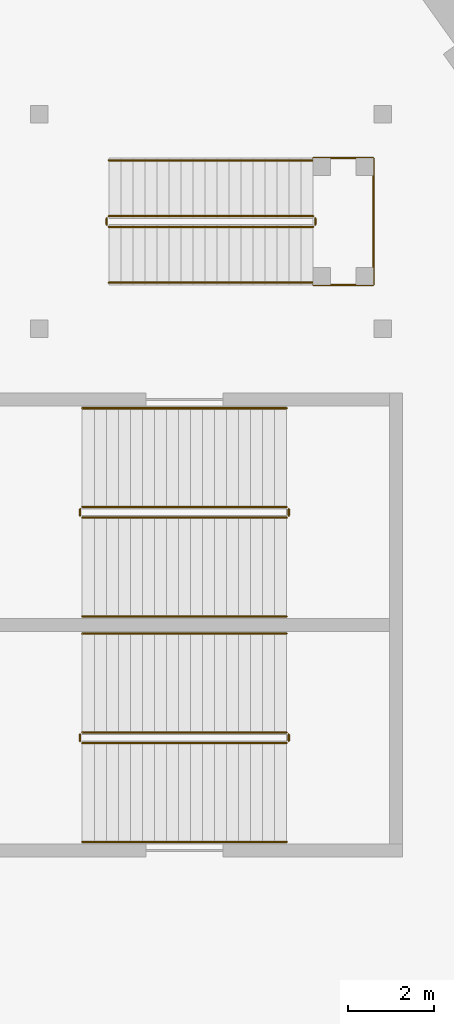
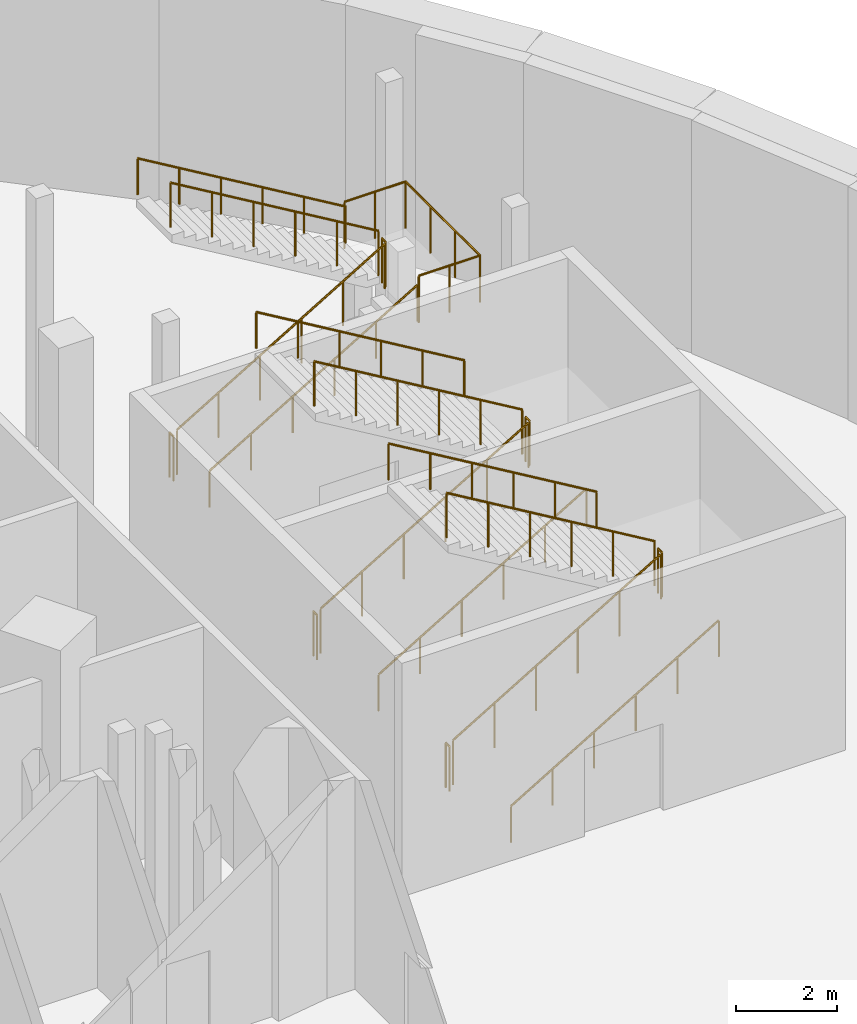
# One storey, part 17 of 19: 19 railings.
"""IFC4 building model written with IfcOpenShell, lengths in metres."""

from ifc_helpers import new_model, si_unit, direction, frame, origin, origin_2d, place, context, subcontext, project, spatial, circle, extrude, material, type_object, element, save


model = new_model("IFC4")

# Units and contexts
model_context = context("Model", 3, precision=1e-05, world=origin(), true_north=direction((0.0, 1.0)))
body_context = subcontext(model_context, "Body", "Model", "MODEL_VIEW")
ifc_project = project(units=[si_unit("LENGTHUNIT", "METRE"), si_unit("AREAUNIT", "SQUARE_METRE"), si_unit("VOLUMEUNIT", "CUBIC_METRE"), si_unit("PLANEANGLEUNIT", "RADIAN"), si_unit("MASSUNIT", "GRAM", prefix="KILO")], contexts=[model_context])

# Site, building, storey
site_placement = place(None, origin())
site = spatial("IfcSite", under=ifc_project, at=site_placement, CompositionType="ELEMENT")
building_placement = place(site_placement, origin())
building = spatial("IfcBuilding", under=site, at=building_placement, Name="Rubra Terraces Tower", CompositionType="ELEMENT")
storey_placement = place(building_placement, frame((0.0, 0.0, -6.0)))
storey = spatial("IfcBuildingStorey", under=building, at=storey_placement, Name="B1", CompositionType="ELEMENT", Elevation=-6.0)

# Railings
ifc_material_1 = material(Name="Stainless steel", Category="steel")
railing_type_1 = type_object("IfcRailingType", Name="Public stair guard 1100", PredefinedType="GUARDRAIL", material=ifc_material_1)
railing_1_placement = place(storey_placement, frame((33.0, 7.85009765625, 0.166748046875)))
element("IfcRailing", 1, at=railing_1_placement, inside=storey, type_object=railing_type_1, Name="B1 SE1 stair guard 1", PredefinedType="GUARDRAIL", context=body_context, shape_type="SweptSolid", body=[
    extrude(circle(Radius=0.02392578125, at=origin_2d()), frame((0.0, 0.0, 1.076171875), z_axis=(0.859299802514, 0.0, 0.511472237174), x_axis=(0.0, 1.0, 0.0)), (0.0, 0.0, 1.0), 5.539306640625),
    extrude(circle(Radius=0.02099609375, at=origin_2d()), origin(), (0.0, 0.0, 1.0), 1.052001953125),
    extrude(circle(Radius=0.02099609375, at=origin_2d()), frame((0.951904296875, 0.0, 0.566650390625)), (0.0, 0.0, 1.0), 1.052001953125),
    extrude(circle(Radius=0.02099609375, at=origin_2d()), frame((1.904052734375, 0.0, 1.13330078125)), (0.0, 0.0, 1.0), 1.052001953125),
    extrude(circle(Radius=0.02099609375, at=origin_2d()), frame((2.85595703125, 0.0, 1.699951171875)), (0.0, 0.0, 1.0), 1.052001953125),
    extrude(circle(Radius=0.02099609375, at=origin_2d()), frame((3.80810546875, 0.0, 2.2666015625)), (0.0, 0.0, 1.0), 1.052001953125),
    extrude(circle(Radius=0.02099609375, at=origin_2d()), frame((4.760009765625, 0.0, 2.833251953125)), (0.0, 0.0, 1.0), 1.052001953125),
])
railing_2_placement = place(storey_placement, frame((37.81005859375, 7.89990234375, 3.0)))
element("IfcRailing", 2, at=railing_2_placement, inside=storey, type_object=railing_type_1, Name="B1 SE1 stair guard 2", PredefinedType="GUARDRAIL", context=body_context, shape_type="SweptSolid", body=[
    extrude(circle(Radius=0.02392578125, at=origin_2d()), frame((0.0, 0.0, 1.076171875), z_axis=(0.0, 1.0, 0.0), x_axis=(-1.0, 0.0, 0.0)), (0.0, 0.0, 1.0), 0.150146484375),
    extrude(circle(Radius=0.02099609375, at=origin_2d()), origin(), (0.0, 0.0, 1.0), 1.052001953125),
    extrude(circle(Radius=0.02099609375, at=origin_2d()), frame((0.0, 0.150146484375, 0.0)), (0.0, 0.0, 1.0), 1.052001953125),
])
railing_3_placement = place(storey_placement, frame((37.760009765625, 8.10009765625, 3.166748046875)))
element("IfcRailing", 3, at=railing_3_placement, inside=storey, type_object=railing_type_1, Name="B1 SE1 stair guard 3", PredefinedType="GUARDRAIL", context=body_context, shape_type="SweptSolid", body=[
    extrude(circle(Radius=0.02392578125, at=origin_2d()), frame((0.0, 0.0, 1.076171875), z_axis=(-0.859299802514, 0.0, 0.511472237174), x_axis=(0.0, -1.0, 0.0)), (0.0, 0.0, 1.0), 5.539306640625),
    extrude(circle(Radius=0.02099609375, at=origin_2d()), origin(), (0.0, 0.0, 1.0), 1.052001953125),
    extrude(circle(Radius=0.02099609375, at=origin_2d()), frame((-0.951904296875, 0.0, 0.566650390625)), (0.0, 0.0, 1.0), 1.052001953125),
    extrude(circle(Radius=0.02099609375, at=origin_2d()), frame((-1.904052734375, 0.0, 1.13330078125)), (0.0, 0.0, 1.0), 1.052001953125),
    extrude(circle(Radius=0.02099609375, at=origin_2d()), frame((-2.85595703125, 0.0, 1.699951171875)), (0.0, 0.0, 1.0), 1.052001953125),
    extrude(circle(Radius=0.02099609375, at=origin_2d()), frame((-3.80810546875, 0.0, 2.2666015625)), (0.0, 0.0, 1.0), 1.052001953125),
    extrude(circle(Radius=0.02099609375, at=origin_2d()), frame((-4.760009765625, 0.0, 2.833251953125)), (0.0, 0.0, 1.0), 1.052001953125),
])
railing_4_placement = place(storey_placement, frame((32.949951171875, 7.89990234375, 0.0)))
element("IfcRailing", 4, at=railing_4_placement, inside=storey, type_object=railing_type_1, Name="B1 SE1 stair guard 4", PredefinedType="GUARDRAIL", context=body_context, shape_type="SweptSolid", body=[
    extrude(circle(Radius=0.02392578125, at=origin_2d()), frame((0.0, 0.0, 1.076171875), z_axis=(0.0, 1.0, 0.0), x_axis=(-1.0, 0.0, 0.0)), (0.0, 0.0, 1.0), 0.150146484375),
    extrude(circle(Radius=0.02099609375, at=origin_2d()), origin(), (0.0, 0.0, 1.0), 1.052001953125),
    extrude(circle(Radius=0.02099609375, at=origin_2d()), frame((0.0, 0.150146484375, 0.0)), (0.0, 0.0, 1.0), 1.052001953125),
])
railing_5_placement = place(storey_placement, frame((33.0, 13.10009765625, 0.166748046875)))
element("IfcRailing", 5, at=railing_5_placement, inside=storey, type_object=railing_type_1, Name="B1 SE9 stair guard 1", PredefinedType="GUARDRAIL", context=body_context, shape_type="SweptSolid", body=[
    extrude(circle(Radius=0.02392578125, at=origin_2d()), frame((0.0, 0.0, 1.076171875), z_axis=(0.859299802514, 0.0, 0.511472237174), x_axis=(0.0, 1.0, 0.0)), (0.0, 0.0, 1.0), 5.539306640625),
    extrude(circle(Radius=0.02099609375, at=origin_2d()), origin(), (0.0, 0.0, 1.0), 1.052001953125),
    extrude(circle(Radius=0.02099609375, at=origin_2d()), frame((0.951904296875, 0.0, 0.566650390625)), (0.0, 0.0, 1.0), 1.052001953125),
    extrude(circle(Radius=0.02099609375, at=origin_2d()), frame((1.904052734375, 0.0, 1.13330078125)), (0.0, 0.0, 1.0), 1.052001953125),
    extrude(circle(Radius=0.02099609375, at=origin_2d()), frame((2.85595703125, 0.0, 1.699951171875)), (0.0, 0.0, 1.0), 1.052001953125),
    extrude(circle(Radius=0.02099609375, at=origin_2d()), frame((3.80810546875, 0.0, 2.2666015625)), (0.0, 0.0, 1.0), 1.052001953125),
    extrude(circle(Radius=0.02099609375, at=origin_2d()), frame((4.760009765625, 0.0, 2.833251953125)), (0.0, 0.0, 1.0), 1.052001953125),
])
railing_6_placement = place(storey_placement, frame((37.81005859375, 13.14990234375, 3.0)))
element("IfcRailing", 6, at=railing_6_placement, inside=storey, type_object=railing_type_1, Name="B1 SE9 stair guard 2", PredefinedType="GUARDRAIL", context=body_context, shape_type="SweptSolid", body=[
    extrude(circle(Radius=0.02392578125, at=origin_2d()), frame((0.0, 0.0, 1.076171875), z_axis=(0.0, 1.0, 0.0), x_axis=(-1.0, 0.0, 0.0)), (0.0, 0.0, 1.0), 0.150146484375),
    extrude(circle(Radius=0.02099609375, at=origin_2d()), origin(), (0.0, 0.0, 1.0), 1.052001953125),
    extrude(circle(Radius=0.02099609375, at=origin_2d()), frame((0.0, 0.150146484375, 0.0)), (0.0, 0.0, 1.0), 1.052001953125),
])
railing_7_placement = place(storey_placement, frame((37.760009765625, 13.35009765625, 3.166748046875)))
element("IfcRailing", 7, at=railing_7_placement, inside=storey, type_object=railing_type_1, Name="B1 SE9 stair guard 3", PredefinedType="GUARDRAIL", context=body_context, shape_type="SweptSolid", body=[
    extrude(circle(Radius=0.02392578125, at=origin_2d()), frame((0.0, 0.0, 1.076171875), z_axis=(-0.859299802514, 0.0, 0.511472237174), x_axis=(0.0, -1.0, 0.0)), (0.0, 0.0, 1.0), 5.539306640625),
    extrude(circle(Radius=0.02099609375, at=origin_2d()), origin(), (0.0, 0.0, 1.0), 1.052001953125),
    extrude(circle(Radius=0.02099609375, at=origin_2d()), frame((-0.951904296875, 0.0, 0.566650390625)), (0.0, 0.0, 1.0), 1.052001953125),
    extrude(circle(Radius=0.02099609375, at=origin_2d()), frame((-1.904052734375, 0.0, 1.13330078125)), (0.0, 0.0, 1.0), 1.052001953125),
    extrude(circle(Radius=0.02099609375, at=origin_2d()), frame((-2.85595703125, 0.0, 1.699951171875)), (0.0, 0.0, 1.0), 1.052001953125),
    extrude(circle(Radius=0.02099609375, at=origin_2d()), frame((-3.80810546875, 0.0, 2.2666015625)), (0.0, 0.0, 1.0), 1.052001953125),
    extrude(circle(Radius=0.02099609375, at=origin_2d()), frame((-4.760009765625, 0.0, 2.833251953125)), (0.0, 0.0, 1.0), 1.052001953125),
])
railing_8_placement = place(storey_placement, frame((32.949951171875, 13.14990234375, 0.0)))
element("IfcRailing", 8, at=railing_8_placement, inside=storey, type_object=railing_type_1, Name="B1 SE9 stair guard 4", PredefinedType="GUARDRAIL", context=body_context, shape_type="SweptSolid", body=[
    extrude(circle(Radius=0.02392578125, at=origin_2d()), frame((0.0, 0.0, 1.076171875), z_axis=(0.0, 1.0, 0.0), x_axis=(-1.0, 0.0, 0.0)), (0.0, 0.0, 1.0), 0.150146484375),
    extrude(circle(Radius=0.02099609375, at=origin_2d()), origin(), (0.0, 0.0, 1.0), 1.052001953125),
    extrude(circle(Radius=0.02099609375, at=origin_2d()), frame((0.0, 0.150146484375, 0.0)), (0.0, 0.0, 1.0), 1.052001953125),
])
railing_type_2 = type_object("IfcRailingType", Name="Public stair handrail 900", PredefinedType="HANDRAIL", material=ifc_material_1)
railing_9_placement = place(storey_placement, frame((33.0, 5.550048828125, 0.166748046875)))
element("IfcRailing", 9, at=railing_9_placement, inside=storey, type_object=railing_type_2, Name="B1 SE1 stair handrail 1", PredefinedType="HANDRAIL", context=body_context, shape_type="SweptSolid", body=[
    extrude(circle(Radius=0.02392578125, at=origin_2d()), frame((0.0, 0.0, 0.8759765625), z_axis=(0.859299802514, 0.0, 0.511472237174), x_axis=(0.0, 1.0, 0.0)), (0.0, 0.0, 1.0), 5.539306640625),
    extrude(circle(Radius=0.02099609375, at=origin_2d()), origin(), (0.0, 0.0, 1.0), 0.851806640625),
    extrude(circle(Radius=0.02099609375, at=origin_2d()), frame((0.951904296875, 0.0, 0.566650390625)), (0.0, 0.0, 1.0), 0.851806640625),
    extrude(circle(Radius=0.02099609375, at=origin_2d()), frame((1.904052734375, 0.0, 1.13330078125)), (0.0, 0.0, 1.0), 0.851806640625),
    extrude(circle(Radius=0.02099609375, at=origin_2d()), frame((2.85595703125, 0.0, 1.699951171875)), (0.0, 0.0, 1.0), 0.851806640625),
    extrude(circle(Radius=0.02099609375, at=origin_2d()), frame((3.80810546875, 0.0, 2.2666015625)), (0.0, 0.0, 1.0), 0.851806640625),
    extrude(circle(Radius=0.02099609375, at=origin_2d()), frame((4.760009765625, 0.0, 2.833251953125)), (0.0, 0.0, 1.0), 0.851806640625),
])
railing_10_placement = place(storey_placement, frame((37.760009765625, 10.39990234375, 3.166748046875)))
element("IfcRailing", 10, at=railing_10_placement, inside=storey, type_object=railing_type_2, Name="B1 SE1 stair handrail 2", PredefinedType="HANDRAIL", context=body_context, shape_type="SweptSolid", body=[
    extrude(circle(Radius=0.02392578125, at=origin_2d()), frame((0.0, 0.0, 0.8759765625), z_axis=(-0.859299802514, 0.0, 0.511472237174), x_axis=(0.0, -1.0, 0.0)), (0.0, 0.0, 1.0), 5.539306640625),
    extrude(circle(Radius=0.02099609375, at=origin_2d()), origin(), (0.0, 0.0, 1.0), 0.851806640625),
    extrude(circle(Radius=0.02099609375, at=origin_2d()), frame((-0.951904296875, 0.0, 0.566650390625)), (0.0, 0.0, 1.0), 0.851806640625),
    extrude(circle(Radius=0.02099609375, at=origin_2d()), frame((-1.904052734375, 0.0, 1.13330078125)), (0.0, 0.0, 1.0), 0.851806640625),
    extrude(circle(Radius=0.02099609375, at=origin_2d()), frame((-2.85595703125, 0.0, 1.699951171875)), (0.0, 0.0, 1.0), 0.851806640625),
    extrude(circle(Radius=0.02099609375, at=origin_2d()), frame((-3.80810546875, 0.0, 2.2666015625)), (0.0, 0.0, 1.0), 0.851806640625),
    extrude(circle(Radius=0.02099609375, at=origin_2d()), frame((-4.760009765625, 0.0, 2.833251953125)), (0.0, 0.0, 1.0), 0.851806640625),
])
railing_11_placement = place(storey_placement, frame((33.0, 10.800048828125, 0.166748046875)))
element("IfcRailing", 11, at=railing_11_placement, inside=storey, type_object=railing_type_2, Name="B1 SE9 stair handrail 1", PredefinedType="HANDRAIL", context=body_context, shape_type="SweptSolid", body=[
    extrude(circle(Radius=0.02392578125, at=origin_2d()), frame((0.0, 0.0, 0.8759765625), z_axis=(0.859299802514, 0.0, 0.511472237174), x_axis=(0.0, 1.0, 0.0)), (0.0, 0.0, 1.0), 5.539306640625),
    extrude(circle(Radius=0.02099609375, at=origin_2d()), origin(), (0.0, 0.0, 1.0), 0.851806640625),
    extrude(circle(Radius=0.02099609375, at=origin_2d()), frame((0.951904296875, 0.0, 0.566650390625)), (0.0, 0.0, 1.0), 0.851806640625),
    extrude(circle(Radius=0.02099609375, at=origin_2d()), frame((1.904052734375, 0.0, 1.13330078125)), (0.0, 0.0, 1.0), 0.851806640625),
    extrude(circle(Radius=0.02099609375, at=origin_2d()), frame((2.85595703125, 0.0, 1.699951171875)), (0.0, 0.0, 1.0), 0.851806640625),
    extrude(circle(Radius=0.02099609375, at=origin_2d()), frame((3.80810546875, 0.0, 2.2666015625)), (0.0, 0.0, 1.0), 0.851806640625),
    extrude(circle(Radius=0.02099609375, at=origin_2d()), frame((4.760009765625, 0.0, 2.833251953125)), (0.0, 0.0, 1.0), 0.851806640625),
])
railing_12_placement = place(storey_placement, frame((37.760009765625, 15.64990234375, 3.166748046875)))
element("IfcRailing", 12, at=railing_12_placement, inside=storey, type_object=railing_type_2, Name="B1 SE9 stair handrail 2", PredefinedType="HANDRAIL", context=body_context, shape_type="SweptSolid", body=[
    extrude(circle(Radius=0.02392578125, at=origin_2d()), frame((0.0, 0.0, 0.8759765625), z_axis=(-0.859299802514, 0.0, 0.511472237174), x_axis=(0.0, -1.0, 0.0)), (0.0, 0.0, 1.0), 5.539306640625),
    extrude(circle(Radius=0.02099609375, at=origin_2d()), origin(), (0.0, 0.0, 1.0), 0.851806640625),
    extrude(circle(Radius=0.02099609375, at=origin_2d()), frame((-0.951904296875, 0.0, 0.566650390625)), (0.0, 0.0, 1.0), 0.851806640625),
    extrude(circle(Radius=0.02099609375, at=origin_2d()), frame((-1.904052734375, 0.0, 1.13330078125)), (0.0, 0.0, 1.0), 0.851806640625),
    extrude(circle(Radius=0.02099609375, at=origin_2d()), frame((-2.85595703125, 0.0, 1.699951171875)), (0.0, 0.0, 1.0), 0.851806640625),
    extrude(circle(Radius=0.02099609375, at=origin_2d()), frame((-3.80810546875, 0.0, 2.2666015625)), (0.0, 0.0, 1.0), 0.851806640625),
    extrude(circle(Radius=0.02099609375, at=origin_2d()), frame((-4.760009765625, 0.0, 2.833251953125)), (0.0, 0.0, 1.0), 0.851806640625),
])
ifc_material_2 = material(Name="Steel, powder-coated dark grey", Category="steel")
railing_type_3 = type_object("IfcRailingType", Name="Station stair guard 1100", PredefinedType="GUARDRAIL", material=ifc_material_2)
railing_13_placement = place(storey_placement, frame((33.6201171875, 19.875, 0.166748046875)))
element("IfcRailing", 13, at=railing_13_placement, inside=storey, type_object=railing_type_3, Name="B1 SP1-S stair guard 1", PredefinedType="GUARDRAIL", context=body_context, shape_type="SweptSolid", body=[
    extrude(circle(Radius=0.02392578125, at=origin_2d()), frame((0.0, 0.0, 1.076171875), z_axis=(0.859288272078, 0.0, 0.511491608405), x_axis=(0.0, 1.0, 0.0)), (0.0, 0.0, 1.0), 5.539306640625),
    extrude(circle(Radius=0.02099609375, at=origin_2d()), origin(), (0.0, 0.0, 1.0), 1.052001953125),
    extrude(circle(Radius=0.02099609375, at=origin_2d()), frame((0.951904296875, 0.0, 0.566650390625)), (0.0, 0.0, 1.0), 1.052001953125),
    extrude(circle(Radius=0.02099609375, at=origin_2d()), frame((1.90380859375, 0.0, 1.13330078125)), (0.0, 0.0, 1.0), 1.052001953125),
    extrude(circle(Radius=0.02099609375, at=origin_2d()), frame((2.85595703125, 0.0, 1.699951171875)), (0.0, 0.0, 1.0), 1.052001953125),
    extrude(circle(Radius=0.02099609375, at=origin_2d()), frame((3.807861328125, 0.0, 2.2666015625)), (0.0, 0.0, 1.0), 1.052001953125),
    extrude(circle(Radius=0.02099609375, at=origin_2d()), frame((4.759765625, 0.0, 2.833251953125)), (0.0, 0.0, 1.0), 1.052001953125),
])
railing_14_placement = place(storey_placement, frame((38.429931640625, 19.925048828125, 3.0)))
element("IfcRailing", 14, at=railing_14_placement, inside=storey, type_object=railing_type_3, Name="B1 SP1-S stair guard 2", PredefinedType="GUARDRAIL", context=body_context, shape_type="SweptSolid", body=[
    extrude(circle(Radius=0.02392578125, at=origin_2d()), frame((0.0, 0.0, 1.076171875), z_axis=(0.0, 1.0, 0.0), x_axis=(-1.0, 0.0, 0.0)), (0.0, 0.0, 1.0), 0.14990234375),
    extrude(circle(Radius=0.02099609375, at=origin_2d()), origin(), (0.0, 0.0, 1.0), 1.052001953125),
    extrude(circle(Radius=0.02099609375, at=origin_2d()), frame((0.0, 0.14990234375, 0.0)), (0.0, 0.0, 1.0), 1.052001953125),
])
railing_15_placement = place(storey_placement, frame((38.3798828125, 20.125, 3.166748046875)))
element("IfcRailing", 15, at=railing_15_placement, inside=storey, type_object=railing_type_3, Name="B1 SP1-S stair guard 3", PredefinedType="GUARDRAIL", context=body_context, shape_type="SweptSolid", body=[
    extrude(circle(Radius=0.02392578125, at=origin_2d()), frame((0.0, 0.0, 1.076171875), z_axis=(-0.859288272078, 0.0, 0.511491608405), x_axis=(0.0, -1.0, 0.0)), (0.0, 0.0, 1.0), 5.539306640625),
    extrude(circle(Radius=0.02099609375, at=origin_2d()), origin(), (0.0, 0.0, 1.0), 1.052001953125),
    extrude(circle(Radius=0.02099609375, at=origin_2d()), frame((-0.951904296875, 0.0, 0.566650390625)), (0.0, 0.0, 1.0), 1.052001953125),
    extrude(circle(Radius=0.02099609375, at=origin_2d()), frame((-1.90380859375, 0.0, 1.13330078125)), (0.0, 0.0, 1.0), 1.052001953125),
    extrude(circle(Radius=0.02099609375, at=origin_2d()), frame((-2.85595703125, 0.0, 1.699951171875)), (0.0, 0.0, 1.0), 1.052001953125),
    extrude(circle(Radius=0.02099609375, at=origin_2d()), frame((-3.807861328125, 0.0, 2.2666015625)), (0.0, 0.0, 1.0), 1.052001953125),
    extrude(circle(Radius=0.02099609375, at=origin_2d()), frame((-4.759765625, 0.0, 2.833251953125)), (0.0, 0.0, 1.0), 1.052001953125),
])
railing_16_placement = place(storey_placement, frame((33.570068359375, 19.925048828125, 0.0)))
element("IfcRailing", 16, at=railing_16_placement, inside=storey, type_object=railing_type_3, Name="B1 SP1-S stair guard 4", PredefinedType="GUARDRAIL", context=body_context, shape_type="SweptSolid", body=[
    extrude(circle(Radius=0.02392578125, at=origin_2d()), frame((0.0, 0.0, 1.076171875), z_axis=(0.0, 1.0, 0.0), x_axis=(-1.0, 0.0, 0.0)), (0.0, 0.0, 1.0), 0.14990234375),
    extrude(circle(Radius=0.02099609375, at=origin_2d()), origin(), (0.0, 0.0, 1.0), 1.052001953125),
    extrude(circle(Radius=0.02099609375, at=origin_2d()), frame((0.0, 0.14990234375, 0.0)), (0.0, 0.0, 1.0), 1.052001953125),
])
railing_17_placement = place(storey_placement, frame((38.3798828125, 18.52490234375, 3.0)))
element("IfcRailing", 17, at=railing_17_placement, inside=storey, type_object=railing_type_3, Name="Pavilion SP1 stair landing guard", PredefinedType="GUARDRAIL", context=body_context, shape_type="SweptSolid", body=[
    extrude(circle(Radius=0.02392578125, at=origin_2d()), frame((0.0, 0.0, 1.1259765625), z_axis=(1.0, 0.0, 0.0), x_axis=(0.0, 1.0, 0.0)), (0.0, 0.0, 1.0), 1.400146484375),
    extrude(circle(Radius=0.02392578125, at=origin_2d()), frame((1.400146484375, 0.0, 1.1259765625), z_axis=(0.0, 1.0, 0.0), x_axis=(-1.0, 0.0, 0.0)), (0.0, 0.0, 1.0), 2.9501953125),
    extrude(circle(Radius=0.02392578125, at=origin_2d()), frame((1.400146484375, 2.9501953125, 1.1259765625), z_axis=(-1.0, 0.0, 0.0), x_axis=(0.0, -1.0, 0.0)), (0.0, 0.0, 1.0), 1.400146484375),
    extrude(circle(Radius=0.02099609375, at=origin_2d()), origin(), (0.0, 0.0, 1.0), 1.101806640625),
    extrude(circle(Radius=0.02099609375, at=origin_2d()), frame((0.7001953125, 0.0, 0.0)), (0.0, 0.0, 1.0), 1.101806640625),
    extrude(circle(Radius=0.02099609375, at=origin_2d()), frame((1.400146484375, 0.0, 0.0)), (0.0, 0.0, 1.0), 1.101806640625),
    extrude(circle(Radius=0.02099609375, at=origin_2d()), frame((1.400146484375, 0.9833984375, 0.0)), (0.0, 0.0, 1.0), 1.101806640625),
    extrude(circle(Radius=0.02099609375, at=origin_2d()), frame((1.400146484375, 1.966796875, 0.0)), (0.0, 0.0, 1.0), 1.101806640625),
    extrude(circle(Radius=0.02099609375, at=origin_2d()), frame((1.400146484375, 2.9501953125, 0.0)), (0.0, 0.0, 1.0), 1.101806640625),
    extrude(circle(Radius=0.02099609375, at=origin_2d()), frame((0.7001953125, 2.9501953125, 0.0)), (0.0, 0.0, 1.0), 1.101806640625),
    extrude(circle(Radius=0.02099609375, at=origin_2d()), frame((0.0, 2.9501953125, 0.0)), (0.0, 0.0, 1.0), 1.101806640625),
])
railing_type_4 = type_object("IfcRailingType", Name="Station stair handrail 900", PredefinedType="HANDRAIL", material=ifc_material_2)
railing_18_placement = place(storey_placement, frame((33.6201171875, 18.574951171875, 0.166748046875)))
element("IfcRailing", 18, at=railing_18_placement, inside=storey, type_object=railing_type_4, Name="B1 SP1-S stair handrail 1", PredefinedType="HANDRAIL", context=body_context, shape_type="SweptSolid", body=[
    extrude(circle(Radius=0.02392578125, at=origin_2d()), frame((0.0, 0.0, 0.8759765625), z_axis=(0.859288272078, 0.0, 0.511491608405), x_axis=(0.0, 1.0, 0.0)), (0.0, 0.0, 1.0), 5.539306640625),
    extrude(circle(Radius=0.02099609375, at=origin_2d()), origin(), (0.0, 0.0, 1.0), 0.851806640625),
    extrude(circle(Radius=0.02099609375, at=origin_2d()), frame((0.951904296875, 0.0, 0.566650390625)), (0.0, 0.0, 1.0), 0.851806640625),
    extrude(circle(Radius=0.02099609375, at=origin_2d()), frame((1.90380859375, 0.0, 1.13330078125)), (0.0, 0.0, 1.0), 0.851806640625),
    extrude(circle(Radius=0.02099609375, at=origin_2d()), frame((2.85595703125, 0.0, 1.699951171875)), (0.0, 0.0, 1.0), 0.851806640625),
    extrude(circle(Radius=0.02099609375, at=origin_2d()), frame((3.807861328125, 0.0, 2.2666015625)), (0.0, 0.0, 1.0), 0.851806640625),
    extrude(circle(Radius=0.02099609375, at=origin_2d()), frame((4.759765625, 0.0, 2.833251953125)), (0.0, 0.0, 1.0), 0.851806640625),
])
railing_19_placement = place(storey_placement, frame((38.3798828125, 21.425048828125, 3.166748046875)))
element("IfcRailing", 19, at=railing_19_placement, inside=storey, type_object=railing_type_4, Name="B1 SP1-S stair handrail 2", PredefinedType="HANDRAIL", context=body_context, shape_type="SweptSolid", body=[
    extrude(circle(Radius=0.02392578125, at=origin_2d()), frame((0.0, 0.0, 0.8759765625), z_axis=(-0.859288272078, 0.0, 0.511491608405), x_axis=(0.0, -1.0, 0.0)), (0.0, 0.0, 1.0), 5.539306640625),
    extrude(circle(Radius=0.02099609375, at=origin_2d()), origin(), (0.0, 0.0, 1.0), 0.851806640625),
    extrude(circle(Radius=0.02099609375, at=origin_2d()), frame((-0.951904296875, 0.0, 0.566650390625)), (0.0, 0.0, 1.0), 0.851806640625),
    extrude(circle(Radius=0.02099609375, at=origin_2d()), frame((-1.90380859375, 0.0, 1.13330078125)), (0.0, 0.0, 1.0), 0.851806640625),
    extrude(circle(Radius=0.02099609375, at=origin_2d()), frame((-2.85595703125, 0.0, 1.699951171875)), (0.0, 0.0, 1.0), 0.851806640625),
    extrude(circle(Radius=0.02099609375, at=origin_2d()), frame((-3.807861328125, 0.0, 2.2666015625)), (0.0, 0.0, 1.0), 0.851806640625),
    extrude(circle(Radius=0.02099609375, at=origin_2d()), frame((-4.759765625, 0.0, 2.833251953125)), (0.0, 0.0, 1.0), 0.851806640625),
])

save(model, "model.ifc")
